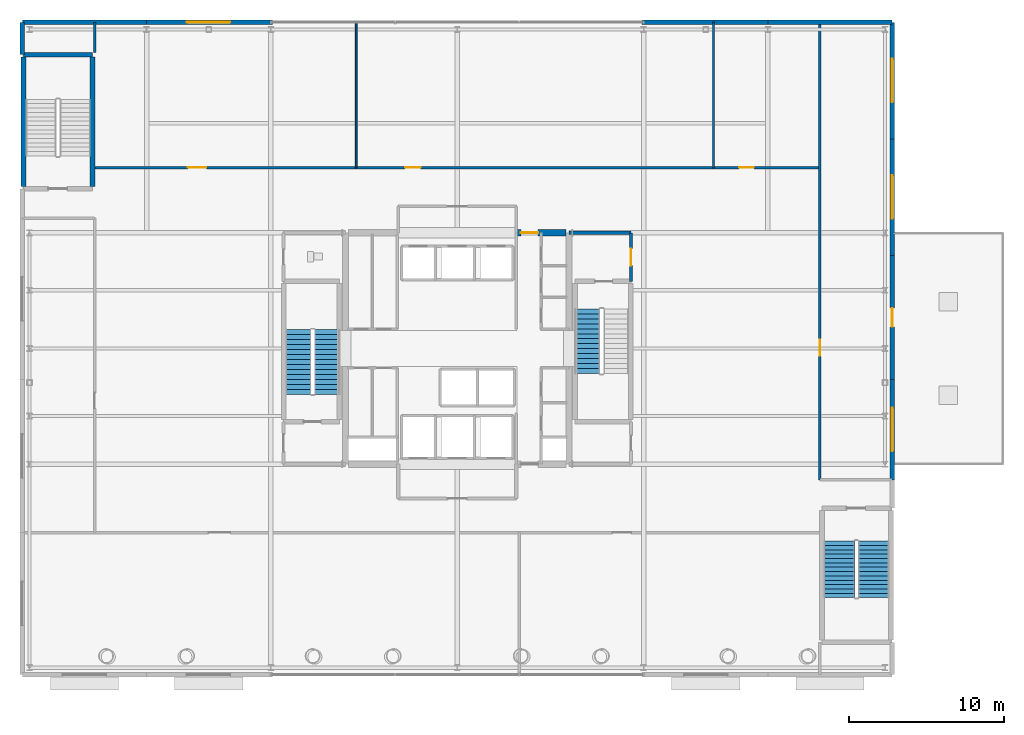
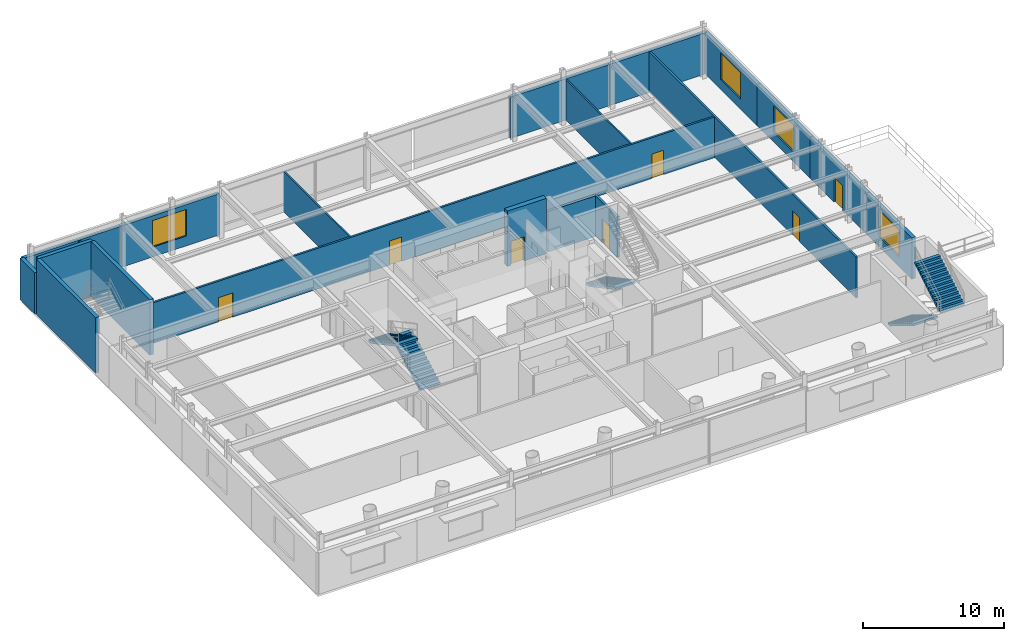
# One storey, part 17 of 22: 20 walls, 7 doors, 5 stair flights, 4 windows, 11 openings, 3 elements without a shape of their own.
"""IFC4 building model written with IfcOpenShell, lengths in metres."""

from ifc_helpers import new_model, si_unit, direction, frame, frame_2d, origin, place, context, subcontext, project, spatial, polyline, rectangle, outline, extrude, material, layer, layer_set, type_object, element, fill, aggregate, save


model = new_model("IFC4")

# Units and contexts
model_context = context("Model", 3, precision=1e-05, world=origin(), true_north=direction((0.0, 1.0)))
body_context = subcontext(model_context, "Body", "Model", "MODEL_VIEW")
ifc_project = project(units=[si_unit("LENGTHUNIT", "METRE"), si_unit("AREAUNIT", "SQUARE_METRE"), si_unit("VOLUMEUNIT", "CUBIC_METRE"), si_unit("PLANEANGLEUNIT", "RADIAN"), si_unit("MASSUNIT", "GRAM", prefix="KILO")], contexts=[model_context])

# Site, building, storey
site_placement = place(None, origin())
site = spatial("IfcSite", under=ifc_project, at=site_placement, CompositionType="ELEMENT")
building_placement = place(site_placement, origin())
building = spatial("IfcBuilding", under=site, at=building_placement, Name="Veldorina Hangang Commons", CompositionType="ELEMENT")
storey_placement = place(building_placement, frame((0.0, 0.0, 14.800048828125)))
storey = spatial("IfcBuildingStorey", under=building, at=storey_placement, Name="L03", CompositionType="ELEMENT", Elevation=14.800048828125)

# Wall, opening, door
ifc_material_1 = material(Name="Concrete C70/85", Category="concrete")
ifc_layer_1 = layer(ifc_material_1, 0.39990234375)
ifc_layer_set_1 = layer_set([ifc_layer_1], Name="Concrete C70/85")
wall_type_1 = type_object("IfcWallType", Name="CW-RC400-C70", PredefinedType="SHEAR", material=ifc_layer_set_1)
wall_1_placement = place(storey_placement, frame((35.800048828125, 31.449951171875, 0.0), z_axis=(0.0, 0.0, 1.0), x_axis=(1.0, 0.0, 0.0)))
wall_1 = element("IfcWall", 1, at=wall_1_placement, inside=storey, type_object=wall_type_1, Name="L03 north-east core shear wall", PredefinedType="SHEAR", context=body_context, shape_type="SweptSolid", body=[
    extrude(rectangle(XDim=3.199951171875, YDim=0.39990234375, at=frame_2d((1.60009765625, 0.0))), origin(), (0.0, 0.0, 1.0), 4.800048828125),
])
opening_1_placement = place(wall_1_placement, frame((0.300048828125, 0.0, 0.0)))
opening_1 = element("IfcOpeningElement", 2, at=opening_1_placement, cuts=wall_1, Name="Opening D-08", PredefinedType="OPENING", context=body_context, shape_type="SweptSolid", body=[
    extrude(rectangle(XDim=1.10009765625, YDim=2.10009765625, at=frame_2d((0.550048828125, 1.050048828125))), frame((0.0, 0.2099609375, 0.0), z_axis=(0.0, -1.0, 0.0), x_axis=(1.0, 0.0, 0.0)), (0.0, 0.0, 1.0), 0.419921875),
])
ifc_material_2 = material(Name="Steel Fire-Rated Smoke Seal", Category="steel")
door_type_1 = type_object("IfcDoorType", Name="DR-FIRE-1100", OperationType="SINGLE_SWING_RIGHT", PredefinedType="DOOR", material=ifc_material_2)
door_1_placement = place(opening_1_placement, origin())
door_1 = element("IfcDoor", 3, at=door_1_placement, inside=storey, type_object=door_type_1, Name="L03 central lift lobby north corridor door", OperationType="SINGLE_SWING_LEFT", OverallHeight=2.10009765625, OverallWidth=1.10009765625, PredefinedType="DOOR", context=body_context, shape_type="SweptSolid", body=[
    extrude(rectangle(XDim=1.10009765625, YDim=2.10009765625, at=frame_2d((0.550048828125, 1.050048828125))), frame((0.0, 0.02490234375, 0.0), z_axis=(0.0, -1.0, 0.0), x_axis=(1.0, 0.0, 0.0)), (0.0, 0.0, 1.0), 0.050048828125),
])
fill(opening_1, door_1)

# Wall
ifc_material_3 = material(Name="Stone Roman Travertine", Category="masonry")
ifc_layer_2 = layer(ifc_material_3, 0.300048828125)
ifc_layer_set_2 = layer_set([ifc_layer_2], Name="Stone Roman Travertine")
wall_type_2 = type_object("IfcWallType", Name="EW-TRAV-300", PredefinedType="STANDARD", material=ifc_layer_set_2)
wall_2_placement = place(storey_placement, frame((12.0, 45.0, 0.0), z_axis=(0.0, 0.0, 1.0), x_axis=(-1.0, 0.0, 0.0)))
element("IfcWall", 4, at=wall_2_placement, inside=storey, type_object=wall_type_2, Name="L03 north podium stone wall N1", PredefinedType="STANDARD", context=body_context, shape_type="SweptSolid", body=[
    extrude(rectangle(XDim=8.0, YDim=0.300048828125, at=frame_2d((4.0, 0.0))), origin(), (0.0, 0.0, 1.0), 3.570068359375),
])

# Wall, opening, window
wall_3_placement = place(storey_placement, frame((20.094970703125, 45.0, 0.0), z_axis=(0.0, 0.0, 1.0), x_axis=(-1.0, 0.0, 0.0)))
wall_3 = element("IfcWall", 5, at=wall_3_placement, inside=storey, type_object=wall_type_2, Name="L03 north podium stone wall N2", PredefinedType="STANDARD", context=body_context, shape_type="SweptSolid", body=[
    extrude(rectangle(XDim=8.094970703125, YDim=0.300048828125, at=frame_2d((4.04736328125, 0.0))), origin(), (0.0, 0.0, 1.0), 3.570068359375),
])
opening_2_placement = place(wall_3_placement, frame((2.695068359375, 0.0, 0.85009765625)))
opening_2 = element("IfcOpeningElement", 6, at=opening_2_placement, cuts=wall_3, Name="Opening W-06", PredefinedType="OPENING", context=body_context, shape_type="SweptSolid", body=[
    extrude(rectangle(XDim=2.800048828125, YDim=2.300048828125, at=frame_2d((1.39990234375, 1.14990234375))), frame((0.0, 0.16015625, 0.0), z_axis=(0.0, -1.0, 0.0), x_axis=(1.0, 0.0, 0.0)), (0.0, 0.0, 1.0), 0.320068359375),
])
ifc_material_4 = material(Name="Glass Acoustic Laminated", Category="glass")
window_type = type_object("IfcWindowType", Name="WIN-POD-2800", PartitioningType="SINGLE_PANEL", PredefinedType="WINDOW", material=ifc_material_4)
window_1_placement = place(opening_2_placement, origin())
window_1 = element("IfcWindow", 7, at=window_1_placement, inside=storey, type_object=window_type, Name="L03 north podium window N2", OverallHeight=2.300048828125, OverallWidth=2.800048828125, PartitioningType="SINGLE_PANEL", PredefinedType="WINDOW", context=body_context, shape_type="SweptSolid", body=[
    extrude(rectangle(XDim=2.800048828125, YDim=2.300048828125, at=frame_2d((1.39990234375, 1.14990234375))), frame((0.0, 0.030029296875, 0.0), z_axis=(0.0, -1.0, 0.0), x_axis=(1.0, 0.0, 0.0)), (0.0, 0.0, 1.0), 0.06005859375),
])
fill(opening_2, window_1)

# Walls
wall_4_placement = place(storey_placement, frame((52.0, 45.0, 0.0), z_axis=(0.0, 0.0, 1.0), x_axis=(-1.0, 0.0, 0.0)))
element("IfcWall", 8, at=wall_4_placement, inside=storey, type_object=wall_type_2, Name="L03 north podium stone wall N6", PredefinedType="STANDARD", context=body_context, shape_type="SweptSolid", body=[
    extrude(rectangle(XDim=8.094970703125, YDim=0.300048828125, at=frame_2d((4.04736328125, 0.0))), origin(), (0.0, 0.0, 1.0), 3.570068359375),
])
wall_5_placement = place(storey_placement, frame((60.0, 45.0, 0.0), z_axis=(0.0, 0.0, 1.0), x_axis=(-1.0, 0.0, 0.0)))
element("IfcWall", 9, at=wall_5_placement, inside=storey, type_object=wall_type_2, Name="L03 north podium stone wall N7", PredefinedType="STANDARD", context=body_context, shape_type="SweptSolid", body=[
    extrude(rectangle(XDim=8.0, YDim=0.300048828125, at=frame_2d((4.0, 0.0))), origin(), (0.0, 0.0, 1.0), 3.570068359375),
])
wall_6_placement = place(storey_placement, frame((4.0, 45.0, 0.0), z_axis=(0.0, 0.0, 1.0), x_axis=(0.0, -1.0, 0.0)))
element("IfcWall", 10, at=wall_6_placement, inside=storey, type_object=wall_type_2, Name="L03 west podium stone wall W6", PredefinedType="STANDARD", context=body_context, shape_type="SweptSolid", body=[
    extrude(rectangle(XDim=2.080078125, YDim=0.300048828125, at=frame_2d((1.0400390625, 0.0))), origin(), (0.0, 0.0, 1.0), 3.570068359375),
])

# Wall, opening, window
wall_7_placement = place(storey_placement, frame((60.0, 15.550048828125, 0.0), z_axis=(0.0, 0.0, 1.0), x_axis=(0.0, 1.0, 0.0)))
wall_7 = element("IfcWall", 11, at=wall_7_placement, inside=storey, type_object=wall_type_2, Name="L03 east podium stone wall E4", PredefinedType="STANDARD", context=body_context, shape_type="SweptSolid", body=[
    extrude(rectangle(XDim=6.449951171875, YDim=0.300048828125, at=frame_2d((3.22509765625, 0.0))), origin(), (0.0, 0.0, 1.0), 3.570068359375),
])
opening_3_placement = place(wall_7_placement, frame((1.824951171875, 0.0, 0.85009765625)))
opening_3 = element("IfcOpeningElement", 12, at=opening_3_placement, cuts=wall_7, Name="Opening W-06", PredefinedType="OPENING", context=body_context, shape_type="SweptSolid", body=[
    extrude(rectangle(XDim=2.800048828125, YDim=2.300048828125, at=frame_2d((1.39990234375, 1.14990234375))), frame((0.0, 0.16015625, 0.0), z_axis=(0.0, -1.0, 0.0), x_axis=(1.0, 0.0, 0.0)), (0.0, 0.0, 1.0), 0.320068359375),
])
window_2_placement = place(opening_3_placement, origin())
window_2 = element("IfcWindow", 13, at=window_2_placement, inside=storey, type_object=window_type, Name="L03 east podium window E4", OverallHeight=2.300048828125, OverallWidth=2.800048828125, PartitioningType="SINGLE_PANEL", PredefinedType="WINDOW", context=body_context, shape_type="SweptSolid", body=[
    extrude(rectangle(XDim=2.800048828125, YDim=2.300048828125, at=frame_2d((1.39990234375, 1.14990234375))), frame((0.0, 0.030029296875, 0.0), z_axis=(0.0, -1.0, 0.0), x_axis=(1.0, 0.0, 0.0)), (0.0, 0.0, 1.0), 0.06005859375),
])
fill(opening_3, window_2)

# Wall, opening, door
wall_8_placement = place(storey_placement, frame((60.0, 22.0, 0.0), z_axis=(0.0, 0.0, 1.0), x_axis=(0.0, 1.0, 0.0)))
wall_8 = element("IfcWall", 14, at=wall_8_placement, inside=storey, type_object=wall_type_2, Name="L03 east podium stone wall E5", PredefinedType="STANDARD", context=body_context, shape_type="SweptSolid", body=[
    extrude(rectangle(XDim=8.0, YDim=0.300048828125, at=frame_2d((4.0, 0.0))), origin(), (0.0, 0.0, 1.0), 3.570068359375),
])
opening_4_placement = place(wall_8_placement, frame((3.39990234375, 0.0, 0.0)))
opening_4 = element("IfcOpeningElement", 15, at=opening_4_placement, cuts=wall_8, Name="Opening BD-1200", PredefinedType="OPENING", context=body_context, shape_type="SweptSolid", body=[
    extrude(rectangle(XDim=1.199951171875, YDim=2.14990234375, at=frame_2d((0.60009765625, 1.074951171875))), frame((0.0, 0.16015625, 0.0), z_axis=(0.0, -1.0, 0.0), x_axis=(1.0, 0.0, 0.0)), (0.0, 0.0, 1.0), 0.320068359375),
])
ifc_material_5 = material(Name="Glass Thermal Aluminium Frame", Category="aluminium")
door_type_2 = type_object("IfcDoorType", Name="DR-EXT-LOG1200", OperationType="SINGLE_SWING_LEFT", PredefinedType="DOOR", material=ifc_material_5)
door_2_placement = place(opening_4_placement, origin())
door_2 = element("IfcDoor", 16, at=door_2_placement, inside=storey, type_object=door_type_2, Name="L03 east cantilever roof terrace glazed door", OperationType="SINGLE_SWING_RIGHT", OverallHeight=2.14990234375, OverallWidth=1.199951171875, PredefinedType="DOOR", context=body_context, shape_type="SweptSolid", body=[
    extrude(rectangle(XDim=1.199951171875, YDim=2.14990234375, at=frame_2d((0.60009765625, 1.074951171875))), frame((0.0, 0.02490234375, 0.0), z_axis=(0.0, -1.0, 0.0), x_axis=(1.0, 0.0, 0.0)), (0.0, 0.0, 1.0), 0.050048828125),
])
fill(opening_4, door_2)

# Wall, opening, window
wall_9_placement = place(storey_placement, frame((60.0, 30.0, 0.0), z_axis=(0.0, 0.0, 1.0), x_axis=(0.0, 1.0, 0.0)))
wall_9 = element("IfcWall", 17, at=wall_9_placement, inside=storey, type_object=wall_type_2, Name="L03 east podium stone wall E6", PredefinedType="STANDARD", context=body_context, shape_type="SweptSolid", body=[
    extrude(rectangle(XDim=7.5, YDim=0.300048828125, at=frame_2d((3.75, 0.0))), origin(), (0.0, 0.0, 1.0), 3.570068359375),
])
opening_5_placement = place(wall_9_placement, frame((2.35009765625, 0.0, 0.85009765625)))
opening_5 = element("IfcOpeningElement", 18, at=opening_5_placement, cuts=wall_9, Name="Opening W-06", PredefinedType="OPENING", context=body_context, shape_type="SweptSolid", body=[
    extrude(rectangle(XDim=2.800048828125, YDim=2.300048828125, at=frame_2d((1.39990234375, 1.14990234375))), frame((0.0, 0.16015625, 0.0), z_axis=(0.0, -1.0, 0.0), x_axis=(1.0, 0.0, 0.0)), (0.0, 0.0, 1.0), 0.320068359375),
])
window_3_placement = place(opening_5_placement, origin())
window_3 = element("IfcWindow", 19, at=window_3_placement, inside=storey, type_object=window_type, Name="L03 east podium window E6", OverallHeight=2.300048828125, OverallWidth=2.800048828125, PartitioningType="SINGLE_PANEL", PredefinedType="WINDOW", context=body_context, shape_type="SweptSolid", body=[
    extrude(rectangle(XDim=2.800048828125, YDim=2.300048828125, at=frame_2d((1.39990234375, 1.14990234375))), frame((0.0, 0.030029296875, 0.0), z_axis=(0.0, -1.0, 0.0), x_axis=(1.0, 0.0, 0.0)), (0.0, 0.0, 1.0), 0.06005859375),
])
fill(opening_5, window_3)

wall_10_placement = place(storey_placement, frame((60.0, 37.5, 0.0), z_axis=(0.0, 0.0, 1.0), x_axis=(0.0, 1.0, 0.0)))
wall_10 = element("IfcWall", 20, at=wall_10_placement, inside=storey, type_object=wall_type_2, Name="L03 east podium stone wall E7", PredefinedType="STANDARD", context=body_context, shape_type="SweptSolid", body=[
    extrude(rectangle(XDim=7.5, YDim=0.300048828125, at=frame_2d((3.75, 0.0))), origin(), (0.0, 0.0, 1.0), 3.570068359375),
])
opening_6_placement = place(wall_10_placement, frame((2.35009765625, 0.0, 0.85009765625)))
opening_6 = element("IfcOpeningElement", 21, at=opening_6_placement, cuts=wall_10, Name="Opening W-06", PredefinedType="OPENING", context=body_context, shape_type="SweptSolid", body=[
    extrude(rectangle(XDim=2.800048828125, YDim=2.300048828125, at=frame_2d((1.39990234375, 1.14990234375))), frame((0.0, 0.16015625, 0.0), z_axis=(0.0, -1.0, 0.0), x_axis=(1.0, 0.0, 0.0)), (0.0, 0.0, 1.0), 0.320068359375),
])
window_4_placement = place(opening_6_placement, origin())
window_4 = element("IfcWindow", 22, at=window_4_placement, inside=storey, type_object=window_type, Name="L03 east podium window E7", OverallHeight=2.300048828125, OverallWidth=2.800048828125, PartitioningType="SINGLE_PANEL", PredefinedType="WINDOW", context=body_context, shape_type="SweptSolid", body=[
    extrude(rectangle(XDim=2.800048828125, YDim=2.300048828125, at=frame_2d((1.39990234375, 1.14990234375))), frame((0.0, 0.030029296875, 0.0), z_axis=(0.0, -1.0, 0.0), x_axis=(1.0, 0.0, 0.0)), (0.0, 0.0, 1.0), 0.06005859375),
])
fill(opening_6, window_4)

# Walls
ifc_material_6 = material(Name="Concrete C50/60", Category="concrete")
ifc_layer_3 = layer(ifc_material_6, 0.300048828125)
ifc_layer_set_3 = layer_set([ifc_layer_3], Name="Concrete C50/60")
wall_type_3 = type_object("IfcWallType", Name="SW-STAIR-300", PredefinedType="SHEAR", material=ifc_layer_set_3)
for number, where, z_axis, x_axis, name in (
    (23, (4.080078125, 34.429931640625, 0.0), (0.0, 0.0, 1.0), (0.0, 1.0, 0.0), "L03 STP1 W stair shear wall"),
    (24, (8.52001953125, 34.429931640625, 0.0), (0.0, 0.0, 1.0), (0.0, 1.0, 0.0), "L03 STP1 E stair shear wall"),
):
    element("IfcWall", number, at=place(storey_placement, frame(where, z_axis=z_axis, x_axis=x_axis)), inside=storey, type_object=wall_type_3, Name=name, PredefinedType="SHEAR", context=body_context, shape_type="SweptSolid", body=[
        extrude(rectangle(XDim=8.340087890625, YDim=0.300048828125, at=frame_2d((4.169921875, 0.0))), origin(), (0.0, 0.0, 1.0), 4.800048828125),
    ])
wall_11_placement = place(storey_placement, frame((4.080078125, 42.919921875, 0.0), z_axis=(0.0, 0.0, 1.0), x_axis=(1.0, 0.0, 0.0)))
element("IfcWall", 25, at=wall_11_placement, inside=storey, type_object=wall_type_3, Name="L03 STP1 N stair shear wall", PredefinedType="SHEAR", context=body_context, shape_type="SweptSolid", body=[
    extrude(rectangle(XDim=4.43994140625, YDim=0.300048828125, at=frame_2d((2.219970703125, 0.0))), origin(), (0.0, 0.0, 1.0), 4.800048828125),
])

# Wall, openings, doors
ifc_material_7 = material(Name="Gypsum Fire-Rated Twin Stud Wall", Category="gypsum")
ifc_layer_4 = layer(ifc_material_7, 0.159912109375)
ifc_layer_set_4 = layer_set([ifc_layer_4], Name="Gypsum Fire-Rated Twin Stud Wall")
wall_type_4 = type_object("IfcWallType", Name="WL-FIRE-160", PredefinedType="SOLIDWALL", material=ifc_layer_set_4)
wall_12_placement = place(storey_placement, frame((8.64990234375, 35.64990234375, 0.0), z_axis=(0.0, 0.0, 1.0), x_axis=(1.0, 0.0, 0.0)))
wall_12 = element("IfcWall", 26, at=wall_12_placement, inside=storey, type_object=wall_type_4, Name="L03 L03 gallery north wall 050", PredefinedType="SOLIDWALL", context=body_context, shape_type="SweptSolid", body=[
    extrude(rectangle(XDim=46.7001953125, YDim=0.159912109375, at=frame_2d((23.35009765625, 0.0))), origin(), (0.0, 0.0, 1.0), 3.52001953125),
])
opening_7_placement = place(wall_12_placement, frame((6.0, 0.0, 0.0)))
opening_7 = element("IfcOpeningElement", 27, at=opening_7_placement, cuts=wall_12, Name="Opening D-09", PredefinedType="OPENING", context=body_context, shape_type="SweptSolid", body=[
    extrude(rectangle(XDim=1.199951171875, YDim=2.10009765625, at=frame_2d((0.60009765625, 1.050048828125))), frame((0.0, 0.08984375, 0.0), z_axis=(0.0, -1.0, 0.0), x_axis=(1.0, 0.0, 0.0)), (0.0, 0.0, 1.0), 0.179931640625),
])
opening_8_placement = place(wall_12_placement, frame((20.0, 0.0, 0.0)))
opening_8 = element("IfcOpeningElement", 28, at=opening_8_placement, cuts=wall_12, Name="Opening D-05", PredefinedType="OPENING", context=body_context, shape_type="SweptSolid", body=[
    extrude(rectangle(XDim=1.0, YDim=2.10009765625, at=frame_2d((0.5, 1.050048828125))), frame((0.0, 0.08984375, 0.0), z_axis=(0.0, -1.0, 0.0), x_axis=(1.0, 0.0, 0.0)), (0.0, 0.0, 1.0), 0.179931640625),
])
opening_9_placement = place(wall_12_placement, frame((41.5, 0.0, 0.0)))
opening_9 = element("IfcOpeningElement", 29, at=opening_9_placement, cuts=wall_12, Name="Opening D-02", PredefinedType="OPENING", context=body_context, shape_type="SweptSolid", body=[
    extrude(rectangle(XDim=0.949951171875, YDim=2.10009765625, at=frame_2d((0.47509765625, 1.050048828125))), frame((0.0, 0.08984375, 0.0), z_axis=(0.0, -1.0, 0.0), x_axis=(1.0, 0.0, 0.0)), (0.0, 0.0, 1.0), 0.179931640625),
])
ifc_material_8 = material(Name="Steel Fire-Rated Corridor Door", Category="steel")
door_type_3 = type_object("IfcDoorType", Name="DR-FIRE-1200", OperationType="SINGLE_SWING_LEFT", PredefinedType="DOOR", material=ifc_material_8)
door_3_placement = place(opening_7_placement, origin())
door_3 = element("IfcDoor", 30, at=door_3_placement, inside=storey, type_object=door_type_3, Name="L03 Maker studio door 024", OperationType="SINGLE_SWING_RIGHT", OverallHeight=2.10009765625, OverallWidth=1.199951171875, PredefinedType="DOOR", context=body_context, shape_type="SweptSolid", body=[
    extrude(rectangle(XDim=1.199951171875, YDim=2.10009765625, at=frame_2d((0.60009765625, 1.050048828125))), frame((0.0, 0.02490234375, 0.0), z_axis=(0.0, -1.0, 0.0), x_axis=(1.0, 0.0, 0.0)), (0.0, 0.0, 1.0), 0.050048828125),
])
fill(opening_7, door_3)
ifc_material_9 = material(Name="Timber Solid Core Acoustic", Category="wood")
door_type_4 = type_object("IfcDoorType", Name="DR-INT-1000", OperationType="SINGLE_SWING_RIGHT", PredefinedType="DOOR", material=ifc_material_9)
door_4_placement = place(opening_8_placement, origin())
door_4 = element("IfcDoor", 31, at=door_4_placement, inside=storey, type_object=door_type_4, Name="L03 Seminar classroom door 025", OperationType="SINGLE_SWING_LEFT", OverallHeight=2.10009765625, OverallWidth=1.0, PredefinedType="DOOR", context=body_context, shape_type="SweptSolid", body=[
    extrude(rectangle(XDim=1.0, YDim=2.10009765625, at=frame_2d((0.5, 1.050048828125))), frame((0.0, 0.02490234375, 0.0), z_axis=(0.0, -1.0, 0.0), x_axis=(1.0, 0.0, 0.0)), (0.0, 0.0, 1.0), 0.050048828125),
])
fill(opening_8, door_4)
door_type_5 = type_object("IfcDoorType", Name="DR-INT-950", OperationType="SINGLE_SWING_LEFT", PredefinedType="DOOR", material=ifc_material_9)
door_5_placement = place(opening_9_placement, origin())
door_5 = element("IfcDoor", 32, at=door_5_placement, inside=storey, type_object=door_type_5, Name="L03 Library restroom door 026", OperationType="SINGLE_SWING_RIGHT", OverallHeight=2.10009765625, OverallWidth=0.949951171875, PredefinedType="DOOR", context=body_context, shape_type="SweptSolid", body=[
    extrude(rectangle(XDim=0.949951171875, YDim=2.10009765625, at=frame_2d((0.47509765625, 1.050048828125))), frame((0.0, 0.02490234375, 0.0), z_axis=(0.0, -1.0, 0.0), x_axis=(1.0, 0.0, 0.0)), (0.0, 0.0, 1.0), 0.050048828125),
])
fill(opening_9, door_5)

# Wall, opening, door
wall_13_placement = place(storey_placement, frame((55.35009765625, 15.550048828125, 0.0), z_axis=(0.0, 0.0, 1.0), x_axis=(0.0, 1.0, 0.0)))
wall_13 = element("IfcWall", 33, at=wall_13_placement, inside=storey, type_object=wall_type_4, Name="L03 L03 gallery east wall 054", PredefinedType="SOLIDWALL", context=body_context, shape_type="SweptSolid", body=[
    extrude(rectangle(XDim=29.449951171875, YDim=0.159912109375, at=frame_2d((14.72509765625, 0.0))), origin(), (0.0, 0.0, 1.0), 3.52001953125),
])
opening_10_placement = place(wall_13_placement, frame((8.0, 0.0, 0.0)))
opening_10 = element("IfcOpeningElement", 34, at=opening_10_placement, cuts=wall_13, Name="Opening D-05", PredefinedType="OPENING", context=body_context, shape_type="SweptSolid", body=[
    extrude(rectangle(XDim=1.0, YDim=2.10009765625, at=frame_2d((0.5, 1.050048828125))), frame((0.0, 0.08984375, 0.0), z_axis=(0.0, -1.0, 0.0), x_axis=(1.0, 0.0, 0.0)), (0.0, 0.0, 1.0), 0.179931640625),
])
door_6_placement = place(opening_10_placement, origin())
door_6 = element("IfcDoor", 35, at=door_6_placement, inside=storey, type_object=door_type_4, Name="L03 East admin office door 028", OperationType="SINGLE_SWING_RIGHT", OverallHeight=2.10009765625, OverallWidth=1.0, PredefinedType="DOOR", context=body_context, shape_type="SweptSolid", body=[
    extrude(rectangle(XDim=1.0, YDim=2.10009765625, at=frame_2d((0.5, 1.050048828125))), frame((0.0, 0.02490234375, 0.0), z_axis=(0.0, -1.0, 0.0), x_axis=(1.0, 0.0, 0.0)), (0.0, 0.0, 1.0), 0.050048828125),
])
fill(opening_10, door_6)

# Wall
wall_14_placement = place(storey_placement, frame((8.64990234375, 43.070068359375, 0.0), z_axis=(0.0, 0.0, 1.0), x_axis=(0.0, 1.0, 0.0)))
element("IfcWall", 36, at=wall_14_placement, inside=storey, type_object=wall_type_4, Name="L03 L03 NW stair vestibule wall 056", PredefinedType="SOLIDWALL", context=body_context, shape_type="SweptSolid", body=[
    extrude(rectangle(XDim=1.929931640625, YDim=0.159912109375, at=frame_2d((0.96484375, 0.0))), origin(), (0.0, 0.0, 1.0), 3.52001953125),
])

# Wall, opening, door
ifc_material_10 = material(Name="Concrete Blockwork Fire Wall C30/37", Category="masonry")
ifc_layer_5 = layer(ifc_material_10, 0.199951171875)
ifc_layer_set_5 = layer_set([ifc_layer_5], Name="Concrete Blockwork Fire Wall C30/37")
wall_type_5 = type_object("IfcWallType", Name="WL-FIRE-200", PredefinedType="SOLIDWALL", material=ifc_layer_set_5)
wall_15_placement = place(storey_placement, frame((43.179931640625, 28.320068359375, 0.0), z_axis=(0.0, 0.0, 1.0), x_axis=(0.0, 1.0, 0.0)))
wall_15 = element("IfcWall", 37, at=wall_15_placement, inside=storey, type_object=wall_type_5, Name="L03 East vestibule outer wall 003", PredefinedType="SOLIDWALL", context=body_context, shape_type="SweptSolid", body=[
    extrude(rectangle(XDim=3.1298828125, YDim=0.199951171875, at=frame_2d((1.56494140625, 0.0))), origin(), (0.0, 0.0, 1.0), 3.52001953125),
])
opening_11_placement = place(wall_15_placement, frame((1.014892578125, 0.0, 0.0)))
opening_11 = element("IfcOpeningElement", 38, at=opening_11_placement, cuts=wall_15, Name="Opening D-08", PredefinedType="OPENING", context=body_context, shape_type="SweptSolid", body=[
    extrude(rectangle(XDim=1.10009765625, YDim=2.10009765625, at=frame_2d((0.550048828125, 1.050048828125))), frame((0.0, 0.10986328125, 0.0), z_axis=(0.0, -1.0, 0.0), x_axis=(1.0, 0.0, 0.0)), (0.0, 0.0, 1.0), 0.219970703125),
])
door_7_placement = place(opening_11_placement, origin())
door_7 = element("IfcDoor", 39, at=door_7_placement, inside=storey, type_object=door_type_1, Name="L03 East vestibule east door 002", OperationType="SINGLE_SWING_RIGHT", OverallHeight=2.10009765625, OverallWidth=1.10009765625, PredefinedType="DOOR", context=body_context, shape_type="SweptSolid", body=[
    extrude(rectangle(XDim=1.10009765625, YDim=2.10009765625, at=frame_2d((0.550048828125, 1.050048828125))), frame((0.0, 0.02490234375, 0.0), z_axis=(0.0, -1.0, 0.0), x_axis=(1.0, 0.0, 0.0)), (0.0, 0.0, 1.0), 0.050048828125),
])
fill(opening_11, door_7)

# Walls
wall_16_placement = place(storey_placement, frame((39.199951171875, 31.449951171875, 0.0), z_axis=(0.0, 0.0, 1.0), x_axis=(1.0, 0.0, 0.0)))
element("IfcWall", 40, at=wall_16_placement, inside=storey, type_object=wall_type_5, Name="L03 East vestibule north wall 004", PredefinedType="SOLIDWALL", context=body_context, shape_type="SweptSolid", body=[
    extrude(rectangle(XDim=3.97998046875, YDim=0.199951171875, at=frame_2d((1.989990234375, 0.0))), origin(), (0.0, 0.0, 1.0), 3.52001953125),
])
ifc_material_11 = material(Name="Gypsum Acoustic Stud Partition", Category="gypsum")
ifc_layer_6 = layer(ifc_material_11, 0.1201171875)
ifc_layer_set_6 = layer_set([ifc_layer_6], Name="Gypsum Acoustic Stud Partition")
wall_type_6 = type_object("IfcWallType", Name="WL-PART-120", PredefinedType="PARTITIONING", material=ifc_layer_set_6)
for number, where, z_axis, x_axis, name in (
    (41, (25.5, 35.64990234375, 0.0), (0.0, 0.0, 1.0), (0.0, 1.0, 0.0), "L03 Maker-seminar wall 059"),
    (42, (48.5, 35.64990234375, 0.0), (0.0, 0.0, 1.0), (0.0, 1.0, 0.0), "L03 Seminar-WC wall 060"),
):
    element("IfcWall", number, at=place(storey_placement, frame(where, z_axis=z_axis, x_axis=x_axis)), inside=storey, type_object=wall_type_6, Name=name, PredefinedType="PARTITIONING", context=body_context, shape_type="SweptSolid", body=[
        extrude(rectangle(XDim=9.35009765625, YDim=0.1201171875, at=frame_2d((4.675048828125, 0.0))), origin(), (0.0, 0.0, 1.0), 3.52001953125),
    ])

# Stair, stair flights
ifc_material_12 = material(Name="Concrete C40/50", Category="concrete")
stair_type_1 = type_object("IfcStairType", Name="STR-DOG-1650-28R", PredefinedType="HALF_TURN_STAIR", material=ifc_material_12)
stair_1_placement = place(storey_placement, origin())
stair_1 = element("IfcStair", 43, at=stair_1_placement, inside=storey, type_object=stair_type_1, Name="L03 Exit stair ST-1", PredefinedType="HALF_TURN_STAIR")
stair_flight_type_1 = type_object("IfcStairFlightType", Name="SFL-STR-1650-28R", PredefinedType="STRAIGHT", material=ifc_material_12)
stair_flight_1_placement = place(storey_placement, frame((23.625, 21.050048828125, 0.0), z_axis=(0.0, 0.0, 1.0), x_axis=(0.0, 1.0, 0.0)))
stair_flight_1 = element("IfcStairFlight", 44, at=stair_flight_1_placement, type_object=stair_flight_type_1, Name="ST-1 flight 1", NumberOfRisers=14, NumberOfTreads=13, PredefinedType="STRAIGHT", RiserHeight=0.171428571, TreadLength=0.32, context=body_context, shape_type="SweptSolid", body=[
    extrude(outline(polyline([(0.0, 0.0), (0.0, 0.17138671875), (0.320068359375, 0.17138671875), (0.320068359375, 0.3427734375), (0.639892578125, 0.3427734375), (0.639892578125, 0.514404296875), (0.9599609375, 0.514404296875), (0.9599609375, 0.685791015625), (1.280029296875, 0.685791015625), (1.280029296875, 0.857177734375), (1.60009765625, 0.857177734375), (1.60009765625, 1.028564453125), (1.919921875, 1.028564453125), (1.919921875, 1.199951171875), (2.239990234375, 1.199951171875), (2.239990234375, 1.371337890625), (2.56005859375, 1.371337890625), (2.56005859375, 1.54296875), (2.8798828125, 1.54296875), (2.8798828125, 1.71435546875), (3.199951171875, 1.71435546875), (3.199951171875, 1.8857421875), (3.52001953125, 1.8857421875), (3.52001953125, 2.05712890625), (3.840087890625, 2.05712890625), (3.840087890625, 2.228515625), (4.159912109375, 2.228515625), (4.159912109375, 2.39990234375), (4.159912109375, 2.05859375), (0.3173828125, 0.0), (0.0, 0.0)])), frame((0.0, 0.824951171875, 0.0), z_axis=(0.0, -1.0, 0.0), x_axis=(1.0, 0.0, 0.0)), (0.0, 0.0, 1.0), 1.64990234375),
])
stair_flight_2_placement = place(storey_placement, frame((21.77490234375, 25.2099609375, 2.39990234375), z_axis=(0.0, 0.0, 1.0), x_axis=(0.0, -1.0, 0.0)))
stair_flight_2 = element("IfcStairFlight", 45, at=stair_flight_2_placement, type_object=stair_flight_type_1, Name="ST-1 flight 2", NumberOfRisers=14, NumberOfTreads=13, PredefinedType="STRAIGHT", RiserHeight=0.171428571, TreadLength=0.32, context=body_context, shape_type="SweptSolid", body=[
    extrude(outline(polyline([(0.0, 0.0), (0.0, 0.17138671875), (0.320068359375, 0.17138671875), (0.320068359375, 0.3427734375), (0.639892578125, 0.3427734375), (0.639892578125, 0.514404296875), (0.9599609375, 0.514404296875), (0.9599609375, 0.685791015625), (1.280029296875, 0.685791015625), (1.280029296875, 0.857177734375), (1.60009765625, 0.857177734375), (1.60009765625, 1.028564453125), (1.919921875, 1.028564453125), (1.919921875, 1.199951171875), (2.239990234375, 1.199951171875), (2.239990234375, 1.371337890625), (2.56005859375, 1.371337890625), (2.56005859375, 1.54296875), (2.8798828125, 1.54296875), (2.8798828125, 1.71435546875), (3.199951171875, 1.71435546875), (3.199951171875, 1.8857421875), (3.52001953125, 1.8857421875), (3.52001953125, 2.05712890625), (3.840087890625, 2.05712890625), (3.840087890625, 2.228515625), (4.159912109375, 2.228515625), (4.159912109375, 2.39990234375), (4.159912109375, 2.05859375), (0.3173828125, 0.0), (0.0, 0.0)])), frame((0.0, 0.824951171875, 0.0), z_axis=(0.0, -1.0, 0.0), x_axis=(1.0, 0.0, 0.0)), (0.0, 0.0, 1.0), 1.64990234375),
])
aggregate(stair_1, [stair_flight_1, stair_flight_2])

# Stair, stair flight
stair_2_placement = place(storey_placement, origin())
stair_2 = element("IfcStair", 46, at=stair_2_placement, inside=storey, type_object=stair_type_1, Name="L03 Exit stair ST-2", PredefinedType="HALF_TURN_STAIR")
stair_flight_3_placement = place(storey_placement, frame((40.375, 26.550048828125, 0.0), z_axis=(0.0, 0.0, 1.0), x_axis=(0.0, -1.0, 0.0)))
stair_flight_3 = element("IfcStairFlight", 47, at=stair_flight_3_placement, type_object=stair_flight_type_1, Name="ST-2 flight 1", NumberOfRisers=14, NumberOfTreads=13, PredefinedType="STRAIGHT", RiserHeight=0.171428571, TreadLength=0.32, context=body_context, shape_type="SweptSolid", body=[
    extrude(outline(polyline([(0.0, 0.0), (0.0, 0.17138671875), (0.320068359375, 0.17138671875), (0.320068359375, 0.3427734375), (0.639892578125, 0.3427734375), (0.639892578125, 0.514404296875), (0.9599609375, 0.514404296875), (0.9599609375, 0.685791015625), (1.280029296875, 0.685791015625), (1.280029296875, 0.857177734375), (1.60009765625, 0.857177734375), (1.60009765625, 1.028564453125), (1.919921875, 1.028564453125), (1.919921875, 1.199951171875), (2.239990234375, 1.199951171875), (2.239990234375, 1.371337890625), (2.56005859375, 1.371337890625), (2.56005859375, 1.54296875), (2.8798828125, 1.54296875), (2.8798828125, 1.71435546875), (3.199951171875, 1.71435546875), (3.199951171875, 1.8857421875), (3.52001953125, 1.8857421875), (3.52001953125, 2.05712890625), (3.840087890625, 2.05712890625), (3.840087890625, 2.228515625), (4.159912109375, 2.228515625), (4.159912109375, 2.39990234375), (4.159912109375, 2.05859375), (0.3173828125, 0.0), (0.0, 0.0)])), frame((0.0, 0.824951171875, 0.0), z_axis=(0.0, -1.0, 0.0), x_axis=(1.0, 0.0, 0.0)), (0.0, 0.0, 1.0), 1.64990234375),
])
aggregate(stair_2, [stair_flight_3])

# Stair, stair flights
stair_type_2 = type_object("IfcStairType", Name="STR-DOG-2000-28R", PredefinedType="HALF_TURN_STAIR", material=ifc_material_12)
stair_3_placement = place(storey_placement, origin())
stair_3 = element("IfcStair", 48, at=stair_3_placement, inside=storey, type_object=stair_type_2, Name="L03 Exit stair ST-P2", PredefinedType="HALF_TURN_STAIR")
stair_flight_type_2 = type_object("IfcStairFlightType", Name="SFL-STR-2000-28R", PredefinedType="STRAIGHT", material=ifc_material_12)
stair_flight_4_placement = place(storey_placement, frame((56.60009765625, 11.60009765625, 0.0), z_axis=(0.0, 0.0, 1.0), x_axis=(0.0, -1.0, 0.0)))
stair_flight_4 = element("IfcStairFlight", 49, at=stair_flight_4_placement, type_object=stair_flight_type_2, Name="ST-P2 flight 1", NumberOfRisers=14, NumberOfTreads=13, PredefinedType="STRAIGHT", RiserHeight=0.171428571, TreadLength=0.28, context=body_context, shape_type="SweptSolid", body=[
    extrude(outline(polyline([(0.0, 0.0), (0.0, 0.17138671875), (0.280029296875, 0.17138671875), (0.280029296875, 0.3427734375), (0.56005859375, 0.3427734375), (0.56005859375, 0.514404296875), (0.840087890625, 0.514404296875), (0.840087890625, 0.685791015625), (1.1201171875, 0.685791015625), (1.1201171875, 0.857177734375), (1.39990234375, 0.857177734375), (1.39990234375, 1.028564453125), (1.679931640625, 1.028564453125), (1.679931640625, 1.199951171875), (1.9599609375, 1.199951171875), (1.9599609375, 1.371337890625), (2.239990234375, 1.371337890625), (2.239990234375, 1.54296875), (2.52001953125, 1.54296875), (2.52001953125, 1.71435546875), (2.800048828125, 1.71435546875), (2.800048828125, 1.8857421875), (3.080078125, 1.8857421875), (3.080078125, 2.05712890625), (3.360107421875, 2.05712890625), (3.360107421875, 2.228515625), (3.639892578125, 2.228515625), (3.639892578125, 2.39990234375), (3.639892578125, 2.052734375), (0.287109375, 0.0), (0.0, 0.0)])), frame((0.0, 1.0, 0.0), z_axis=(0.0, -1.0, 0.0), x_axis=(1.0, 0.0, 0.0)), (0.0, 0.0, 1.0), 2.0),
])
stair_flight_5_placement = place(storey_placement, frame((58.800048828125, 7.9599609375, 2.39990234375), z_axis=(0.0, 0.0, 1.0), x_axis=(0.0, 1.0, 0.0)))
stair_flight_5 = element("IfcStairFlight", 50, at=stair_flight_5_placement, type_object=stair_flight_type_2, Name="ST-P2 flight 2", NumberOfRisers=14, NumberOfTreads=13, PredefinedType="STRAIGHT", RiserHeight=0.171428571, TreadLength=0.28, context=body_context, shape_type="SweptSolid", body=[
    extrude(outline(polyline([(0.0, 0.0), (0.0, 0.17138671875), (0.280029296875, 0.17138671875), (0.280029296875, 0.3427734375), (0.56005859375, 0.3427734375), (0.56005859375, 0.514404296875), (0.840087890625, 0.514404296875), (0.840087890625, 0.685791015625), (1.1201171875, 0.685791015625), (1.1201171875, 0.857177734375), (1.39990234375, 0.857177734375), (1.39990234375, 1.028564453125), (1.679931640625, 1.028564453125), (1.679931640625, 1.199951171875), (1.9599609375, 1.199951171875), (1.9599609375, 1.371337890625), (2.239990234375, 1.371337890625), (2.239990234375, 1.54296875), (2.52001953125, 1.54296875), (2.52001953125, 1.71435546875), (2.800048828125, 1.71435546875), (2.800048828125, 1.8857421875), (3.080078125, 1.8857421875), (3.080078125, 2.05712890625), (3.360107421875, 2.05712890625), (3.360107421875, 2.228515625), (3.639892578125, 2.228515625), (3.639892578125, 2.39990234375), (3.639892578125, 2.052734375), (0.287109375, 0.0), (0.0, 0.0)])), frame((0.0, 1.0, 0.0), z_axis=(0.0, -1.0, 0.0), x_axis=(1.0, 0.0, 0.0)), (0.0, 0.0, 1.0), 2.0),
])
aggregate(stair_3, [stair_flight_4, stair_flight_5])

save(model, "model.ifc")
